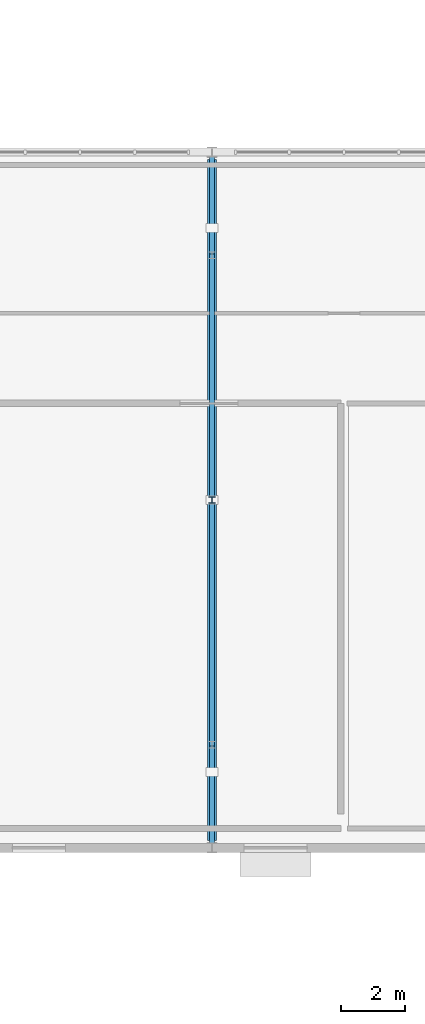
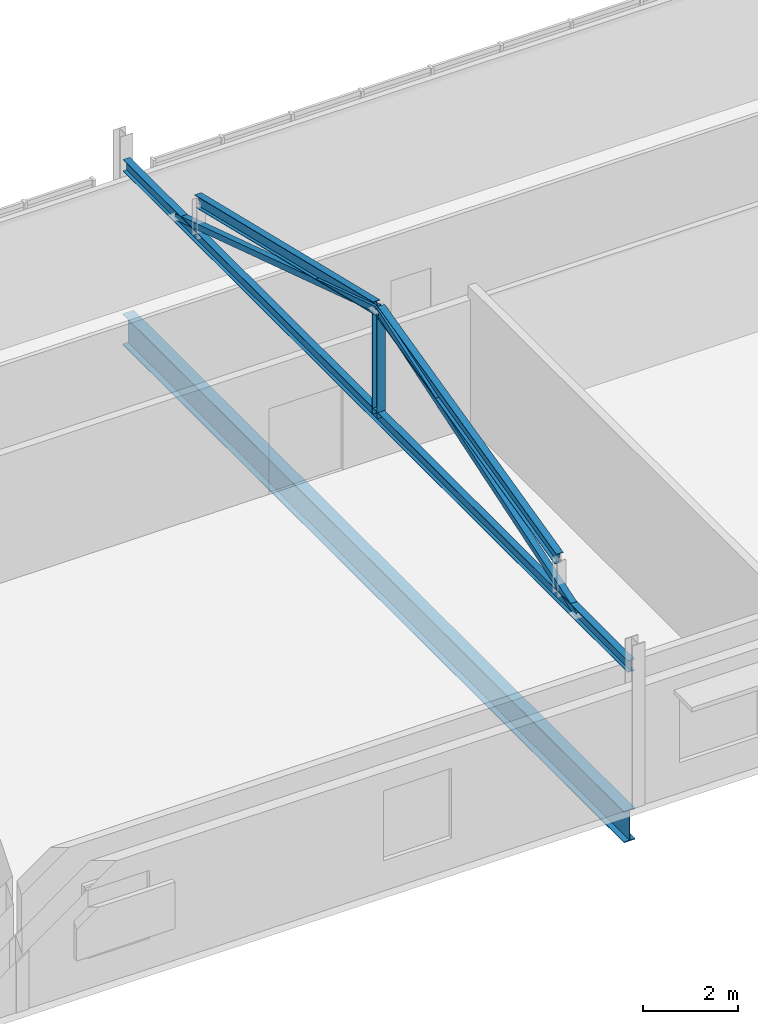
# One storey, part 13 of 90: 4 beams, 3 members.
"""IFC4 building model written with IfcOpenShell, lengths in metres."""

from ifc_helpers import new_model, si_unit, direction, frame, origin, origin_2d, place, context, subcontext, project, spatial, hollow_rectangle, i_section, extrude, material, material_profile, profile_set, type_object, element, save


model = new_model("IFC4")

# Units and contexts
model_context = context("Model", 3, precision=1e-05, world=origin(), true_north=direction((0.0, 1.0)))
body_context = subcontext(model_context, "Body", "Model", "MODEL_VIEW")
ifc_project = project(units=[si_unit("LENGTHUNIT", "METRE"), si_unit("AREAUNIT", "SQUARE_METRE"), si_unit("VOLUMEUNIT", "CUBIC_METRE"), si_unit("PLANEANGLEUNIT", "RADIAN"), si_unit("MASSUNIT", "GRAM", prefix="KILO")], contexts=[model_context])

# Site, building, storey
site_placement = place(None, origin())
site = spatial("IfcSite", under=ifc_project, at=site_placement, CompositionType="ELEMENT")
building_placement = place(site_placement, origin())
building = spatial("IfcBuilding", under=site, at=building_placement, Name="Solanera Park Tramway Depot", CompositionType="ELEMENT")
storey_placement = place(building_placement, frame((0.0, 0.0, 9.0)))
storey = spatial("IfcBuildingStorey", under=building, at=storey_placement, Name="L02", CompositionType="ELEMENT", Elevation=9.0)

# Member
ifc_material_1 = material(Name="Steel AS/NZS 3679.1 Grade 350", Category="steel")
ifc_material_profile_1 = material_profile(ifc_material_1, i_section(OverallWidth=0.205078125, OverallDepth=0.209716796875, WebThickness=0.00927734375, FlangeThickness=0.01416015625, at=origin_2d()), Name="200UC59.5")
ifc_profile_set_1 = profile_set([ifc_material_profile_1], Name="Steel AS/NZS 3679.1 Grade 350")
member_type_1 = type_object("IfcMemberType", Name="Roof Gantry Compression Strut 200UC59.5", PredefinedType="STRUT", material=ifc_profile_set_1)
member_1_placement = place(storey_placement, frame((30.0, 21.60009765625, 3.453125), z_axis=(0.0, 0.0, 1.0), x_axis=(1.0, 0.0, 0.0)))
element("IfcMember", 1, at=member_1_placement, inside=storey, type_object=member_type_1, Name="Hip ROOF TRUSS King Post #0106", PredefinedType="STRUT", context=body_context, shape_type="SweptSolid", body=[
    extrude(i_section(OverallWidth=0.205078125, OverallDepth=0.209716796875, WebThickness=0.00927734375, FlangeThickness=0.01416015625, at=origin_2d()), origin(), (0.0, 0.0, 1.0), 2.731201171875),
])

# Beams
ifc_material_2 = material(Name="Steel AS/NZS 3679.1 Grade 350", Category="steel")
ifc_material_profile_2 = material_profile(ifc_material_2, i_section(OverallWidth=0.1650390625, OverallDepth=0.3037109375, WebThickness=0.006103515625, FlangeThickness=0.01025390625, at=origin_2d()), Name="310UB40.4")
ifc_profile_set_2 = profile_set([ifc_material_profile_2], Name="Steel AS/NZS 3679.1 Grade 350")
beam_type_1 = type_object("IfcBeamType", Name="Steel Beam 310UB40.4", PredefinedType="BEAM", material=ifc_profile_set_2)
beam_1_placement = place(storey_placement, frame((30.0, 10.953369140625, 3.453125), z_axis=(0.0, 1.0, 0.0), x_axis=(-1.0, 0.0, 0.0)))
element("IfcBeam", 2, at=beam_1_placement, inside=storey, type_object=beam_type_1, Name="L02 Hip ROOF TRUSS Tie 310UB40.4 #1044", PredefinedType="BEAM", context=body_context, shape_type="SweptSolid", body=[
    extrude(i_section(OverallWidth=0.1650390625, OverallDepth=0.3037109375, WebThickness=0.006103515625, FlangeThickness=0.01025390625, at=origin_2d()), origin(), (0.0, 0.0, 1.0), 21.293212890625),
])
for number, where, z_axis, x_axis, name in (
    (3, (30.0, 14.0, 4.371826171875), (0.0, 0.972302649975, 0.23372538769), (-1.0, 0.0, 0.0), "L02 Hip ROOF TRUSS Rafter 310UB40.4 #1045"),
    (4, (30.0, 21.659912109375, 6.184326171875), (0.0, 0.972302649975, -0.23372538769), (-1.0, 0.0, 0.0), "L02 Hip ROOF TRUSS Rafter 310UB40.4 #1046"),
):
    element("IfcBeam", number, at=place(storey_placement, frame(where, z_axis=z_axis, x_axis=x_axis)), inside=storey, type_object=beam_type_1, Name=name, PredefinedType="BEAM", context=body_context, shape_type="SweptSolid", body=[
        extrude(i_section(OverallWidth=0.1650390625, OverallDepth=0.3037109375, WebThickness=0.006103515625, FlangeThickness=0.01025390625, at=origin_2d()), origin(), (0.0, 0.0, 1.0), 7.7548828125),
    ])
ifc_material_3 = material(Name="Steel AS/NZS 3679.1 Grade 350", Category="steel")
ifc_material_profile_3 = material_profile(ifc_material_3, i_section(OverallWidth=0.27490234375, OverallDepth=0.800048828125, WebThickness=0.010009765625, FlangeThickness=0.02001953125, at=origin_2d()), Name="800WB146")
ifc_profile_set_3 = profile_set([ifc_material_profile_3], Name="Steel AS/NZS 3679.1 Grade 350")
beam_type_2 = type_object("IfcBeamType", Name="Steel Beam 800WB146", PredefinedType="BEAM", material=ifc_profile_set_3)
beam_2_placement = place(storey_placement, frame((30.0, 11.02490234375, -0.7041015625), z_axis=(0.0, 1.0, 0.0), x_axis=(-1.0, 0.0, 0.0)))
element("IfcBeam", 5, at=beam_2_placement, inside=storey, type_object=beam_type_2, Name="L02 Primary Y-Girder 800WB146 #0141", PredefinedType="BEAM", context=body_context, shape_type="SweptSolid", body=[
    extrude(i_section(OverallWidth=0.27490234375, OverallDepth=0.800048828125, WebThickness=0.010009765625, FlangeThickness=0.02001953125, at=origin_2d()), origin(), (0.0, 0.0, 1.0), 21.150146484375),
])

# Members
ifc_material_4 = material(Name="Steel AS/NZS 1163 Grade C350L0", Category="steel")
ifc_material_profile_4 = material_profile(ifc_material_4, hollow_rectangle(XDim=0.14990234375, YDim=0.14990234375, WallThickness=0.006103515625, at=origin_2d()), Name="150x150x6.0 SHS")
ifc_profile_set_4 = profile_set([ifc_material_profile_4], Name="Steel AS/NZS 1163 Grade C350L0")
member_type_2 = type_object("IfcMemberType", Name="Truss and Frame Brace 150x150x6.0 SHS", PredefinedType="BRACE", material=ifc_profile_set_4)
member_2_placement = place(storey_placement, frame((30.0, 13.1533203125, 3.453125), z_axis=(0.0, 0.951496622075, 0.307659191605), x_axis=(-1.0, 0.0, 0.0)))
element("IfcMember", 6, at=member_2_placement, inside=storey, type_object=member_type_2, Name="Hip ROOF TRUSS Web #0437", PredefinedType="BRACE", context=body_context, shape_type="SweptSolid", body=[
    extrude(hollow_rectangle(XDim=0.14990234375, YDim=0.14990234375, WallThickness=0.006103515625, at=origin_2d()), origin(), (0.0, 0.0, 1.0), 8.87744140625),
])
member_3_placement = place(storey_placement, frame((30.0, 30.046630859375, 3.453125), z_axis=(0.0, -0.951494018842, 0.3076672425), x_axis=(1.0, 0.0, 0.0)))
element("IfcMember", 7, at=member_3_placement, inside=storey, type_object=member_type_2, Name="Hip ROOF TRUSS Web #0438", PredefinedType="BRACE", context=body_context, shape_type="SweptSolid", body=[
    extrude(hollow_rectangle(XDim=0.14990234375, YDim=0.14990234375, WallThickness=0.006103515625, at=origin_2d()), origin(), (0.0, 0.0, 1.0), 8.877197265625),
])

save(model, "model.ifc")
